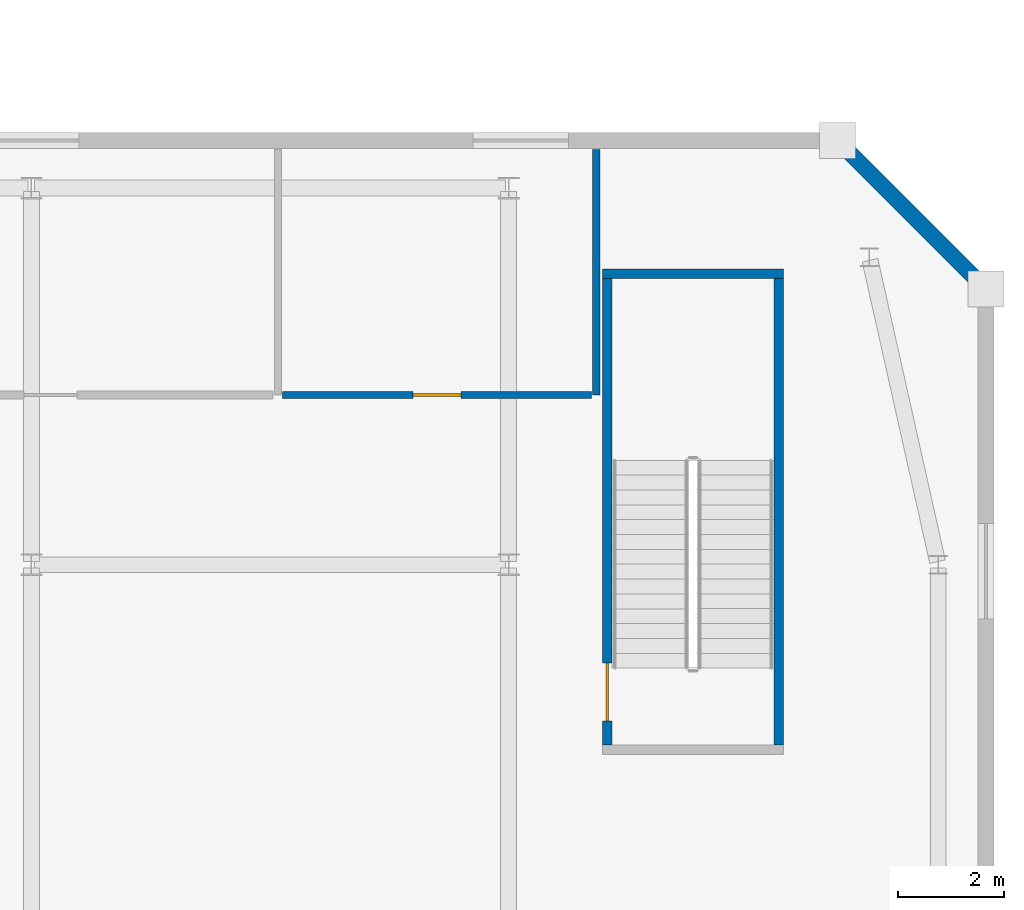
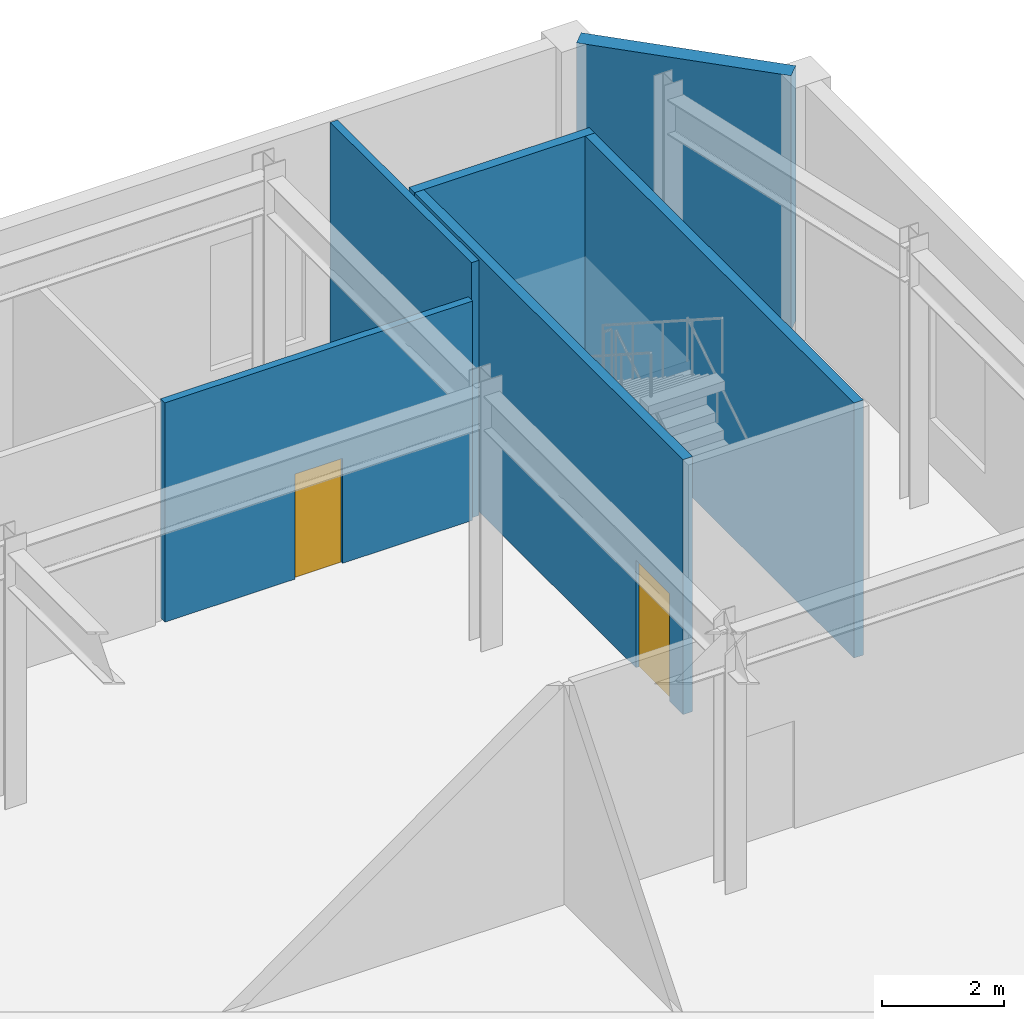
# One storey, part 43 of 52: 6 walls, 2 doors, 2 openings.
"""IFC4 building model written with IfcOpenShell, lengths in metres."""

from ifc_helpers import new_model, si_unit, direction, frame, frame_2d, origin, place, context, subcontext, project, spatial, rectangle, extrude, material, layer, layer_set, type_object, element, fill, save


model = new_model("IFC4")

# Units and contexts
model_context = context("Model", 3, precision=1e-05, world=origin(), true_north=direction((0.0, 1.0)))
body_context = subcontext(model_context, "Body", "Model", "MODEL_VIEW")
ifc_project = project(units=[si_unit("LENGTHUNIT", "METRE"), si_unit("AREAUNIT", "SQUARE_METRE"), si_unit("VOLUMEUNIT", "CUBIC_METRE"), si_unit("PLANEANGLEUNIT", "RADIAN"), si_unit("MASSUNIT", "GRAM", prefix="KILO")], contexts=[model_context])

# Site, building, storey
site_placement = place(None, origin())
site = spatial("IfcSite", under=ifc_project, at=site_placement, CompositionType="ELEMENT")
building_placement = place(site_placement, origin())
building = spatial("IfcBuilding", under=site, at=building_placement, Name="Saevonmaru Cultural Tower", CompositionType="ELEMENT")
storey_placement = place(building_placement, frame((0.0, 0.0, 11.39990234375)))
storey = spatial("IfcBuildingStorey", under=building, at=storey_placement, Name="L02", CompositionType="ELEMENT", Elevation=11.39990234375)

# Walls
ifc_material_1 = material(Name="Warm Limestone Precast Concrete C40/50", Category="masonry")
ifc_layer_1 = layer(ifc_material_1, 0.300048828125, Name="Warm Limestone Precast Concrete C40/50")
ifc_layer_set_1 = layer_set([ifc_layer_1], Name="Warm Limestone Precast Concrete C40/50")
wall_type_1 = type_object("IfcWallType", Name="WL-EXT-LIB-300", PredefinedType="STANDARD", material=ifc_layer_set_1)
wall_1_placement = place(storey_placement, frame((108.0869140625, 45.31298828125, 0.0), z_axis=(0.0, 0.0, 1.0), x_axis=(-0.707073244381, 0.707140316402, 0.0)))
element("IfcWall", 1, at=wall_1_placement, inside=storey, type_object=wall_type_1, Name="L02 Central Library Fluted Stone Wall E5", PredefinedType="STANDARD", context=body_context, shape_type="SweptSolid", body=[
    extrude(rectangle(XDim=3.639892578125, YDim=0.300048828125, at=frame_2d((1.81982421875, 0.0))), origin(), (0.0, 0.0, 1.0), 5.10009765625),
])
ifc_material_2 = material(Name="Gypsum Fireboard Partition", Category="gypsum")
ifc_layer_2 = layer(ifc_material_2, 0.139892578125, Name="Gypsum Fireboard Partition")
ifc_layer_set_2 = layer_set([ifc_layer_2], Name="Gypsum Fireboard Partition")
wall_type_2 = type_object("IfcWallType", Name="WL-PART-WET-140", PredefinedType="PARTITIONING", material=ifc_layer_set_2)
wall_2_placement = place(storey_placement, frame((100.85009765625, 43.199951171875, 0.0), z_axis=(0.0, 0.0, 1.0), x_axis=(0.0, 1.0, 0.0)))
element("IfcWall", 2, at=wall_2_placement, inside=storey, type_object=wall_type_2, Name="L02 Library Washroom East Wall", PredefinedType="PARTITIONING", context=body_context, shape_type="SweptSolid", body=[
    extrude(rectangle(XDim=4.630126953125, YDim=0.139892578125, at=frame_2d((2.31494140625, 0.0))), origin(), (0.0, 0.0, 1.0), 5.10009765625),
])

# Wall, opening, door
wall_3_placement = place(storey_placement, frame((94.93994140625, 43.199951171875, 0.0), z_axis=(0.0, 0.0, 1.0), x_axis=(1.0, 0.0, 0.0)))
wall_3 = element("IfcWall", 3, at=wall_3_placement, inside=storey, type_object=wall_type_2, Name="L02 Library Washroom Wall", PredefinedType="PARTITIONING", context=body_context, shape_type="SweptSolid", body=[
    extrude(rectangle(XDim=5.820068359375, YDim=0.139892578125, at=frame_2d((2.91015625, 0.0))), origin(), (0.0, 0.0, 1.0), 4.385009765625),
])
opening_1_placement = place(wall_3_placement, frame((2.4599609375, 0.0, 0.0)))
opening_1 = element("IfcOpeningElement", 4, at=opening_1_placement, cuts=wall_3, Name="Opening ID-2", PredefinedType="OPENING", context=body_context, shape_type="SweptSolid", body=[
    extrude(rectangle(XDim=0.89990234375, YDim=2.10009765625, at=frame_2d((0.449951171875, 1.050048828125))), frame((0.0, 0.080078125, 0.0), z_axis=(0.0, -1.0, 0.0), x_axis=(1.0, 0.0, 0.0)), (0.0, 0.0, 1.0), 0.159912109375),
])
ifc_material_3 = material(Name="Acoustic Stained Oak Timber", Category="wood")
door_type_1 = type_object("IfcDoorType", Name="DR-INT-900", OperationType="SINGLE_SWING_RIGHT", PredefinedType="DOOR", material=ifc_material_3)
door_1_placement = place(opening_1_placement, origin())
door_1 = element("IfcDoor", 5, at=door_1_placement, inside=storey, type_object=door_type_1, Name="L02 Library Accessible Washroom Door", OperationType="SINGLE_SWING_RIGHT", OverallHeight=2.10009765625, OverallWidth=0.89990234375, PredefinedType="DOOR", context=body_context, shape_type="SweptSolid", body=[
    extrude(rectangle(XDim=0.89990234375, YDim=2.10009765625, at=frame_2d((0.449951171875, 1.050048828125))), frame((0.0, 0.02490234375, 0.0), z_axis=(0.0, -1.0, 0.0), x_axis=(1.0, 0.0, 0.0)), (0.0, 0.0, 1.0), 0.050048828125),
])
fill(opening_1, door_1)

ifc_material_4 = material(Name="Concrete C40/50", Category="concrete")
ifc_layer_3 = layer(ifc_material_4, 0.179931640625, Name="Concrete C40/50")
ifc_layer_set_3 = layer_set([ifc_layer_3], Name="Concrete C40/50")
wall_type_3 = type_object("IfcWallType", Name="WL-STSHAFT-180", PredefinedType="SHEAR", material=ifc_layer_set_3)
wall_4_placement = place(storey_placement, frame((101.06005859375, 45.39990234375, 0.0), z_axis=(0.0, 0.0, 1.0), x_axis=(0.0, -1.0, 0.0)))
wall_4 = element("IfcWall", 6, at=wall_4_placement, inside=storey, type_object=wall_type_3, Name="L02 Stair LST-2 Structural Shaft Wall 1", PredefinedType="SHEAR", context=body_context, shape_type="SweptSolid", body=[
    extrude(rectangle(XDim=8.7998046875, YDim=0.179931640625, at=frame_2d((4.39990234375, 0.0))), origin(), (0.0, 0.0, 1.0), 5.10009765625),
])
opening_2_placement = place(wall_4_placement, frame((7.25, 0.0, 0.0)))
opening_2 = element("IfcOpeningElement", 7, at=opening_2_placement, cuts=wall_4, Name="Opening FD-2", PredefinedType="OPENING", context=body_context, shape_type="SweptSolid", body=[
    extrude(rectangle(XDim=1.10009765625, YDim=2.14990234375, at=frame_2d((0.550048828125, 1.074951171875))), frame((0.0, 0.10009765625, 0.0), z_axis=(0.0, -1.0, 0.0), x_axis=(1.0, 0.0, 0.0)), (0.0, 0.0, 1.0), 0.199951171875),
])
ifc_material_5 = material(Name="Satin Bronze Anodised Aluminium", Category="aluminium")
door_type_2 = type_object("IfcDoorType", Name="DR-FD60-1100", OperationType="SINGLE_SWING_LEFT", PredefinedType="DOOR", material=ifc_material_5)
door_2_placement = place(opening_2_placement, origin())
door_2 = element("IfcDoor", 8, at=door_2_placement, inside=storey, type_object=door_type_2, Name="L02 Protected Stair LST-2 Fire Door", OperationType="SINGLE_SWING_LEFT", OverallHeight=2.14990234375, OverallWidth=1.10009765625, PredefinedType="DOOR", context=body_context, shape_type="SweptSolid", body=[
    extrude(rectangle(XDim=1.10009765625, YDim=2.14990234375, at=frame_2d((0.550048828125, 1.074951171875))), frame((0.0, 0.02490234375, 0.0), z_axis=(0.0, -1.0, 0.0), x_axis=(1.0, 0.0, 0.0)), (0.0, 0.0, 1.0), 0.050048828125),
])
fill(opening_2, door_2)

# Walls
wall_5_placement = place(storey_placement, frame((104.2900390625, 36.60009765625, 0.0), z_axis=(0.0, 0.0, 1.0), x_axis=(0.0, 1.0, 0.0)))
element("IfcWall", 9, at=wall_5_placement, inside=storey, type_object=wall_type_3, Name="L02 Stair LST-2 Structural Shaft Wall 3", PredefinedType="SHEAR", context=body_context, shape_type="SweptSolid", body=[
    extrude(rectangle(XDim=8.7998046875, YDim=0.179931640625, at=frame_2d((4.39990234375, 0.0))), origin(), (0.0, 0.0, 1.0), 5.10009765625),
])
wall_6_placement = place(storey_placement, frame((104.3798828125, 45.489990234375, 0.0), z_axis=(0.0, 0.0, 1.0), x_axis=(-1.0, 0.0, 0.0)))
element("IfcWall", 10, at=wall_6_placement, inside=storey, type_object=wall_type_3, Name="L02 Stair LST-2 Structural Shaft Wall 4", PredefinedType="SHEAR", context=body_context, shape_type="SweptSolid", body=[
    extrude(rectangle(XDim=3.409912109375, YDim=0.179931640625, at=frame_2d((1.705078125, 0.0))), origin(), (0.0, 0.0, 1.0), 5.10009765625),
])

save(model, "model.ifc")
